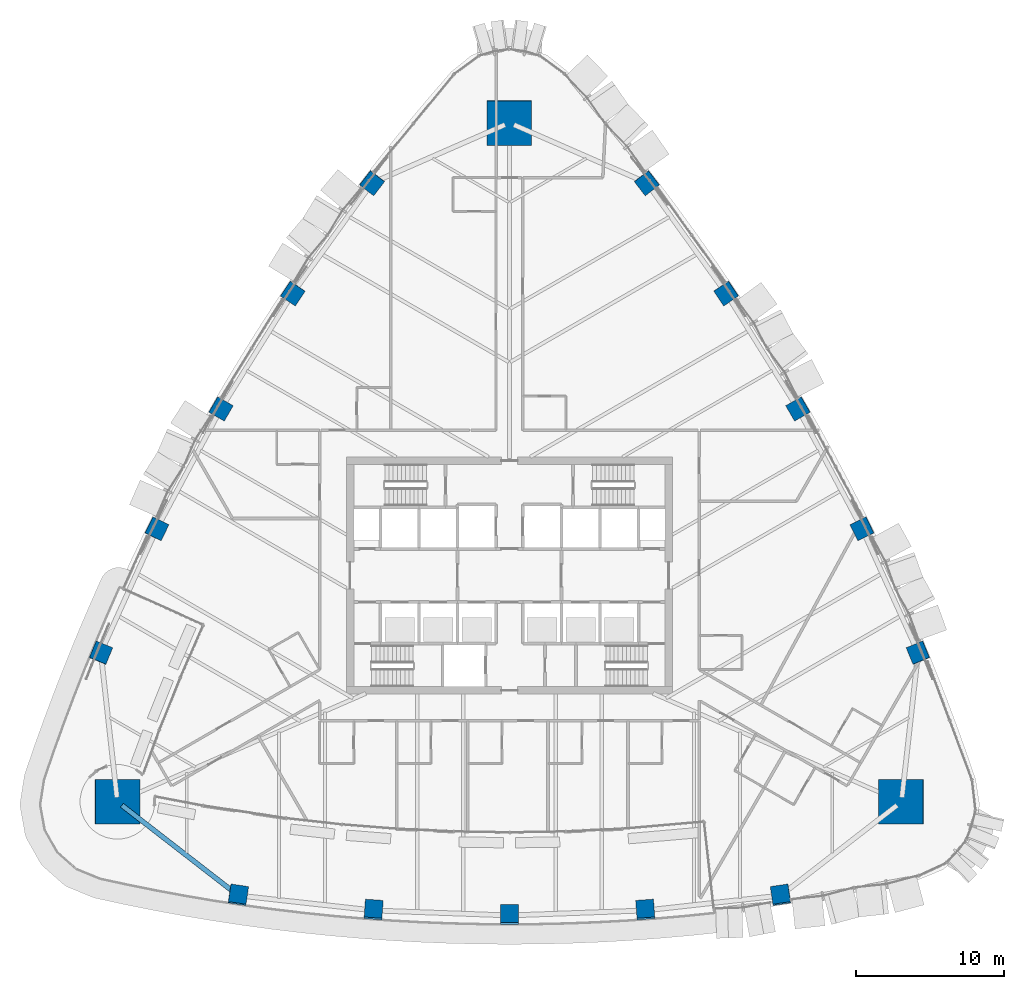
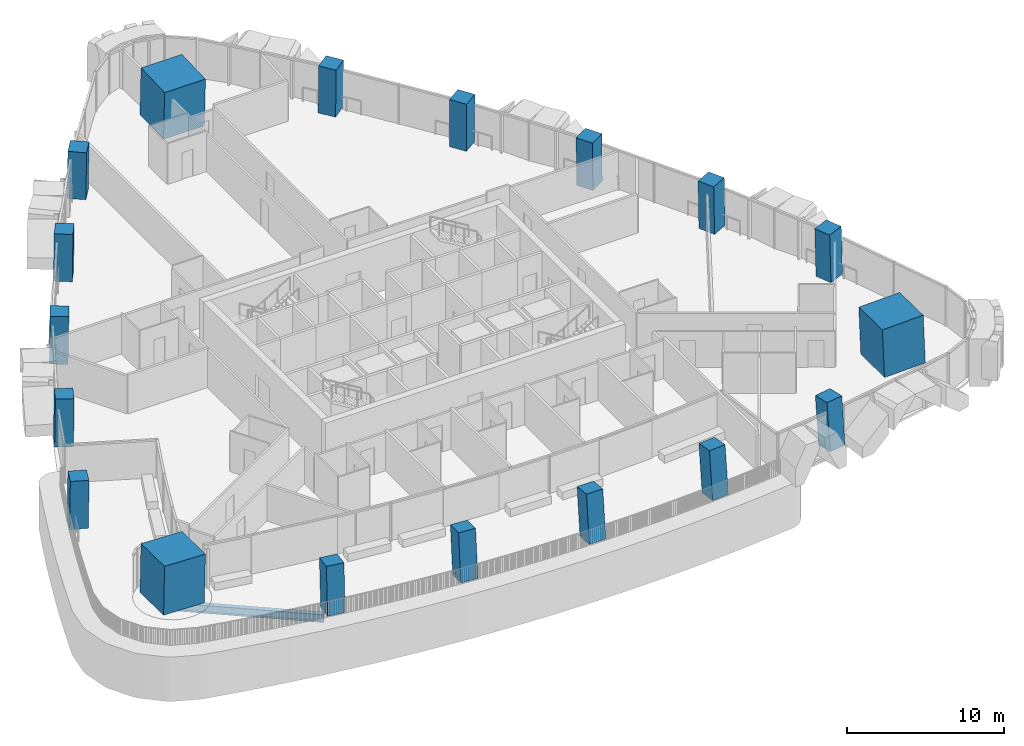
# One storey, part 1 of 22: 18 columns, 1 beam.
"""IFC4 building model written with IfcOpenShell, lengths in metres."""

from ifc_helpers import new_model, si_unit, direction, frame, origin, origin_2d, place, context, subcontext, project, spatial, rectangle, i_section, extrude, clip, halfspace, material, material_profile, profile_set, type_object, element, save


model = new_model("IFC4")

# Units and contexts
model_context = context("Model", 3, precision=1e-05, world=origin(), true_north=direction((0.0, 1.0)))
body_context = subcontext(model_context, "Body", "Model", "MODEL_VIEW")
ifc_project = project(units=[si_unit("LENGTHUNIT", "METRE"), si_unit("AREAUNIT", "SQUARE_METRE"), si_unit("VOLUMEUNIT", "CUBIC_METRE"), si_unit("PLANEANGLEUNIT", "RADIAN"), si_unit("MASSUNIT", "GRAM", prefix="KILO")], contexts=[model_context])

# Site, building, storey
site_placement = place(None, origin())
site = spatial("IfcSite", under=ifc_project, at=site_placement, CompositionType="ELEMENT")
building_placement = place(site_placement, origin())
building = spatial("IfcBuilding", under=site, at=building_placement, Name="Sierra Prisma Convention Tower", CompositionType="ELEMENT")
storey_placement = place(building_placement, frame((0.0, 0.0, 73.89990234375)))
storey = spatial("IfcBuildingStorey", under=building, at=storey_placement, Name="L14", CompositionType="ELEMENT", Elevation=73.89990234375)

# Columns
ifc_material_1 = material(Name="Concrete C60/75", Category="concrete")
ifc_material_profile_1 = material_profile(ifc_material_1, rectangle(XDim=3.0, YDim=3.0, at=origin_2d()), Name="Mega column RC 3000 C60/75")
ifc_profile_set_1 = profile_set([ifc_material_profile_1], Name="Concrete C60/75")
column_type_1 = type_object("IfcColumnType", Name="Mega column RC 3000 C60/75", PredefinedType="COLUMN", material=ifc_profile_set_1)
for number, where, z_axis, x_axis, name in (
    (1, (26.44970703125, -15.270751953125, 0.0), (-0.030529980019, 0.017605841609, 0.999378784376), (0.999533851513, 0.000537756667, 0.030525243614), "Mega column SE L14"),
    (2, (0.0, 30.54150390625, 0.0), (0.0, -0.035277579215, 0.999377552482), (1.0, 0.0, 0.0), "Mega column N L14"),
    (3, (-26.44970703125, -15.270751953125, 0.0), (0.030529980019, 0.017605841609, 0.999378784376), (0.999533851513, -0.000537756667, -0.030525243614), "Mega column SW L14"),
):
    element("IfcColumn", number, at=place(storey_placement, frame(where, z_axis=z_axis, x_axis=x_axis)), inside=storey, type_object=column_type_1, Name=name, PredefinedType="COLUMN", context=body_context, shape_type="SweptSolid", body=[
        extrude(rectangle(XDim=3.0, YDim=3.0, at=origin_2d()), origin(), (0.0, 0.0, 1.0), 3.702392578125),
    ])
ifc_material_2 = material(Name="Concrete C60/75", Category="concrete")
ifc_material_profile_2 = material_profile(ifc_material_2, rectangle(XDim=1.199951171875, YDim=1.199951171875, at=origin_2d()), Name="Perimeter column RC 1200 C60/75")
ifc_profile_set_2 = profile_set([ifc_material_profile_2], Name="Concrete C60/75")
column_type_2 = type_object("IfcColumnType", Name="Perimeter column RC 1200 C60/75", PredefinedType="COLUMN", material=ifc_profile_set_2)
column_1_placement = place(storey_placement, frame((-18.30224609375, -21.587646484375, 0.0), z_axis=(0.019208006386, 0.075319066138, 0.996974468463), x_axis=(-0.989033666926, 0.147478079221, 0.007913396017)))
element("IfcColumn", 4, at=column_1_placement, inside=storey, type_object=column_type_2, Name="Perimeter column S-1 L14", PredefinedType="COLUMN", context=body_context, shape_type="SweptSolid", body=[
    clip(clip(extrude(rectangle(XDim=1.199951171875, YDim=1.199951171875, at=origin_2d()), origin(), (0.0, 0.0, 1.0), 3.71142578125), halfspace(frame((0.0, 0.0, 0.014892578125)), True)), halfspace(frame((0.0, 0.0, 3.69677734375)), False)),
])
column_2_placement = place(storey_placement, frame((-9.171142578125, -22.59814453125, 0.0), z_axis=(0.009587956878, 0.096273594403, 0.99530872904), x_axis=(-0.997257375326, 0.073971051832, 0.002451703273)))
element("IfcColumn", 5, at=column_2_placement, inside=storey, type_object=column_type_2, Name="Perimeter column S-2 L14", PredefinedType="COLUMN", context=body_context, shape_type="SweptSolid", body=[
    clip(clip(extrude(rectangle(XDim=1.199951171875, YDim=1.199951171875, at=origin_2d()), origin(), (0.0, 0.0, 1.0), 3.717529296875), halfspace(frame((0.0, 0.0, 0.018310546875)), True)), halfspace(frame((0.0, 0.0, 3.699462890625)), False)),
])
column_3_placement = place(storey_placement, frame((0.0, -22.935302734375, 0.0), z_axis=(0.0, 0.103232766917, 0.994657225297), x_axis=(1.0, 0.0, 0.0)))
element("IfcColumn", 6, at=column_3_placement, inside=storey, type_object=column_type_2, Name="Perimeter column S-3 L14", PredefinedType="COLUMN", context=body_context, shape_type="SweptSolid", body=[
    clip(clip(extrude(rectangle(XDim=1.199951171875, YDim=1.199951171875, at=origin_2d()), origin(), (0.0, 0.0, 1.0), 3.719970703125), halfspace(frame((0.0, 0.0, 0.018310546875)), True)), halfspace(frame((0.0, 0.0, 3.70166015625)), False)),
])
column_4_placement = place(storey_placement, frame((9.171142578125, -22.59814453125, 0.0), z_axis=(-0.009587956878, 0.096273594403, 0.99530872904), x_axis=(0.997257375326, 0.073971051832, 0.002451703273)))
element("IfcColumn", 7, at=column_4_placement, inside=storey, type_object=column_type_2, Name="Perimeter column S-4 L14", PredefinedType="COLUMN", context=body_context, shape_type="SweptSolid", body=[
    clip(clip(extrude(rectangle(XDim=1.199951171875, YDim=1.199951171875, at=origin_2d()), origin(), (0.0, 0.0, 1.0), 3.717529296875), halfspace(frame((0.0, 0.0, 0.018310546875)), True)), halfspace(frame((0.0, 0.0, 3.699462890625)), False)),
])
column_5_placement = place(storey_placement, frame((18.30224609375, -21.587646484375, 0.0), z_axis=(-0.019208006386, 0.075319066138, 0.996974468463), x_axis=(0.989033666926, 0.147478079221, 0.007913396017)))
element("IfcColumn", 8, at=column_5_placement, inside=storey, type_object=column_type_2, Name="Perimeter column S-5 L14", PredefinedType="COLUMN", context=body_context, shape_type="SweptSolid", body=[
    clip(clip(extrude(rectangle(XDim=1.199951171875, YDim=1.199951171875, at=origin_2d()), origin(), (0.0, 0.0, 1.0), 3.71142578125), halfspace(frame((0.0, 0.0, 0.014892578125)), True)), halfspace(frame((0.0, 0.0, 3.69677734375)), False)),
])
column_6_placement = place(storey_placement, frame((27.572265625, -5.214599609375, 0.0), z_axis=(-0.01945938583, 0.010950027281, 0.999750683523), x_axis=(-0.381230527726, 0.924313522422, -0.01754414426)))
element("IfcColumn", 9, at=column_6_placement, inside=storey, type_object=column_type_2, Name="Perimeter column NE-1 L14", PredefinedType="COLUMN", context=body_context, shape_type="SweptSolid", body=[
    extrude(rectangle(XDim=1.199951171875, YDim=1.199951171875, at=origin_2d()), origin(), (0.0, 0.0, 1.0), 3.701171875),
])
column_7_placement = place(storey_placement, frame((23.794677734375, 3.14794921875, 0.0), z_axis=(-0.015371594408, 0.002243065278, 0.999879334092), x_axis=(-0.441566424908, 0.897185395141, -0.008801087387)))
element("IfcColumn", 10, at=column_7_placement, inside=storey, type_object=column_type_2, Name="Perimeter column NE-2 L14", PredefinedType="COLUMN", context=body_context, shape_type="SweptSolid", body=[
    extrude(rectangle(XDim=1.199951171875, YDim=1.199951171875, at=origin_2d()), origin(), (0.0, 0.0, 1.0), 3.70068359375),
])
column_8_placement = place(storey_placement, frame((19.471923828125, 11.2421875, 0.0), z_axis=(-0.010688020009, -0.006201690622, 0.999923649716), x_axis=(-0.499971440741, 0.866041891424, 2.7221193e-05)))
element("IfcColumn", 11, at=column_8_placement, inside=storey, type_object=column_type_2, Name="Perimeter column NE-3 L14", PredefinedType="COLUMN", context=body_context, shape_type="SweptSolid", body=[
    extrude(rectangle(XDim=1.199951171875, YDim=1.199951171875, at=origin_2d()), origin(), (0.0, 0.0, 1.0), 3.700439453125),
])
column_9_placement = place(storey_placement, frame((14.623291015625, 19.03271484375, 0.0), z_axis=(-0.005673642186, -0.014382023216, 0.999880476453), x_axis=(-0.556182234491, 0.831013798021, 0.008797132212)))
element("IfcColumn", 12, at=column_9_placement, inside=storey, type_object=column_type_2, Name="Perimeter column NE-4 L14", PredefinedType="COLUMN", context=body_context, shape_type="SweptSolid", body=[
    extrude(rectangle(XDim=1.199951171875, YDim=1.199951171875, at=origin_2d()), origin(), (0.0, 0.0, 1.0), 3.70068359375),
])
for number, where, z_axis, x_axis, name in (
    (13, (9.27001953125, 26.485595703125, 0.0), (-0.000197891909, -0.02236178572, 0.99974992442), (-0.609946008584, 0.792247508558, 0.017599766916), "Perimeter column NE-5 L14"),
    (14, (-9.27001953125, 26.485595703125, 0.0), (0.000197891909, -0.02236178572, 0.99974992442), (0.609946008584, 0.792247508558, 0.017599766916), "Perimeter column NW-1 L14"),
):
    element("IfcColumn", number, at=place(storey_placement, frame(where, z_axis=z_axis, x_axis=x_axis)), inside=storey, type_object=column_type_2, Name=name, PredefinedType="COLUMN", context=body_context, shape_type="SweptSolid", body=[
        extrude(rectangle(XDim=1.199951171875, YDim=1.199951171875, at=origin_2d()), origin(), (0.0, 0.0, 1.0), 3.701171875),
    ])
column_10_placement = place(storey_placement, frame((-14.623291015625, 19.03271484375, 0.0), z_axis=(0.005673642186, -0.014382023216, 0.999880476453), x_axis=(0.556182234491, 0.831013798021, 0.008797132212)))
element("IfcColumn", 15, at=column_10_placement, inside=storey, type_object=column_type_2, Name="Perimeter column NW-2 L14", PredefinedType="COLUMN", context=body_context, shape_type="SweptSolid", body=[
    extrude(rectangle(XDim=1.199951171875, YDim=1.199951171875, at=origin_2d()), origin(), (0.0, 0.0, 1.0), 3.70068359375),
])
column_11_placement = place(storey_placement, frame((-19.471923828125, 11.2421875, 0.0), z_axis=(0.010688020009, -0.006201690622, 0.999923649716), x_axis=(0.499971440741, 0.866041891424, 2.7221193e-05)))
element("IfcColumn", 16, at=column_11_placement, inside=storey, type_object=column_type_2, Name="Perimeter column NW-3 L14", PredefinedType="COLUMN", context=body_context, shape_type="SweptSolid", body=[
    extrude(rectangle(XDim=1.199951171875, YDim=1.199951171875, at=origin_2d()), origin(), (0.0, 0.0, 1.0), 3.700439453125),
])
column_12_placement = place(storey_placement, frame((-23.794677734375, 3.14794921875, 0.0), z_axis=(0.015371594408, 0.002243065278, 0.999879334092), x_axis=(0.441566424908, 0.897185395141, -0.008801087387)))
element("IfcColumn", 17, at=column_12_placement, inside=storey, type_object=column_type_2, Name="Perimeter column NW-4 L14", PredefinedType="COLUMN", context=body_context, shape_type="SweptSolid", body=[
    extrude(rectangle(XDim=1.199951171875, YDim=1.199951171875, at=origin_2d()), origin(), (0.0, 0.0, 1.0), 3.70068359375),
])
column_13_placement = place(storey_placement, frame((-27.572265625, -5.214599609375, 0.0), z_axis=(0.01945938583, 0.010950027281, 0.999750683523), x_axis=(0.381230527726, 0.924313522422, -0.01754414426)))
element("IfcColumn", 18, at=column_13_placement, inside=storey, type_object=column_type_2, Name="Perimeter column NW-5 L14", PredefinedType="COLUMN", context=body_context, shape_type="SweptSolid", body=[
    extrude(rectangle(XDim=1.199951171875, YDim=1.199951171875, at=origin_2d()), origin(), (0.0, 0.0, 1.0), 3.701171875),
])

# Beam
ifc_material_3 = material(Name="Steel ASTM A992 Gr 50", Category="steel")
ifc_material_profile_3 = material_profile(ifc_material_3, i_section(OverallWidth=0.324951171875, OverallDepth=0.615966796875, WebThickness=0.013916015625, FlangeThickness=0.021484375, at=origin_2d()), Name="W610x174")
ifc_profile_set_3 = profile_set([ifc_material_profile_3], Name="Steel ASTM A992 Gr 50")
beam_type = type_object("IfcBeamType", Name="Spandrel beam W610x174", PredefinedType="BEAM", material=ifc_profile_set_3)
beam_placement = place(storey_placement, frame((-26.149658203125, -15.50341796875, -0.60791015625), z_axis=(0.790299180556, -0.612721148005, 0.0), x_axis=(0.612721148005, 0.790299180556, 0.0)))
element("IfcBeam", 19, at=beam_placement, inside=storey, type_object=beam_type, Name="Spandrel L14-01", PredefinedType="BEAM", context=body_context, shape_type="SweptSolid", body=[
    extrude(i_section(OverallWidth=0.324951171875, OverallDepth=0.615966796875, WebThickness=0.013916015625, FlangeThickness=0.021484375, at=origin_2d()), origin(), (0.0, 0.0, 1.0), 9.361328125),
])

save(model, "model.ifc")
